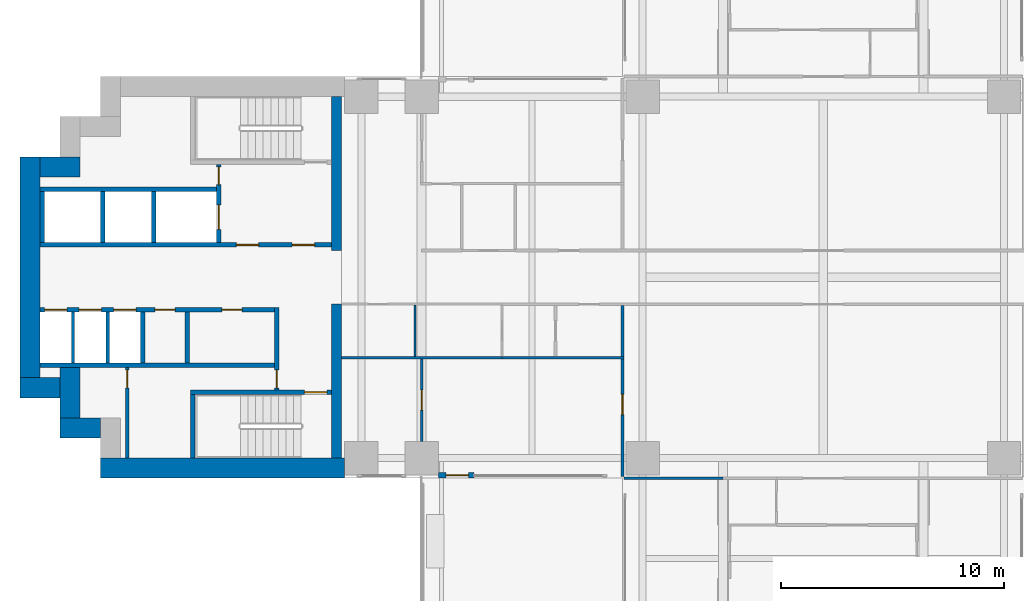
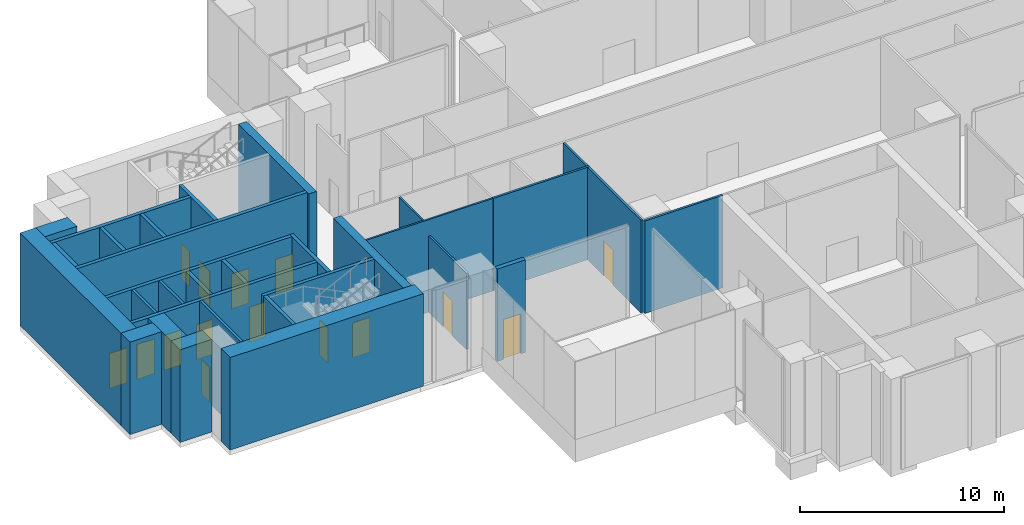
# One storey, part 8 of 17: 31 walls, 15 doors, 15 openings.
"""IFC4 building model written with IfcOpenShell, lengths in metres."""

import ifcopenshell
import ifcopenshell.guid

model = None  # the IFC model being written
_history = None  # IfcOwnerHistory: only IFC2X3 demands one
_inside = {}  # id of a spatial element -> (the spatial element, [elements in it])
_under = {}  # id of a project, library or spatial element -> (it, [spatial elements below it])
_declared = {}  # id of a project -> (the project, [libraries it declares])
_typed = {}  # id of a type object -> (the type object, [elements of that type])
_made_of = {}  # id of a material, layer set ... -> (it, [elements and type objects made of it])


def new_model(schema):
    """Start an empty IFC model of exactly this schema.

    Asked for "IFC4X3", IfcOpenShell would pick the latest addendum, in which some entities
    have other attributes; the version numbers below select the first issue.
    IFC2X3 requires an IfcOwnerHistory on every rooted entity: one is made here for all.
    """
    global model, _history
    if schema == "IFC4X3":
        model = ifcopenshell.file(schema_version=(4, 3, 0, 0))
    else:
        model = ifcopenshell.file(schema=schema)
    _inside.clear()
    _under.clear()
    _declared.clear()
    _typed.clear()
    _made_of.clear()
    _history = None
    if model.schema == "IFC2X3":
        org = make("IfcOrganization", Name="unknown")
        user = make(
            "IfcPersonAndOrganization",
            ThePerson=make("IfcPerson", FamilyName="unknown"),
            TheOrganization=org,
        )
        app = make(
            "IfcApplication",
            ApplicationDeveloper=org,
            Version="unknown",
            ApplicationFullName="unknown",
            ApplicationIdentifier="unknown",
        )
        _history = make(
            "IfcOwnerHistory",
            OwningUser=user,
            OwningApplication=app,
            ChangeAction="ADDED",
            CreationDate=0,
        )
    return model


def make(cls, **values):
    """One entity of the class cls with the attributes given. An attribute that is None is left unset."""
    return model.create_entity(
        cls, **{name: value for name, value in values.items() if value is not None}
    )


def rooted(cls, **values):
    """An entity with a GlobalId (a new one), such as an element, a storey or a relation."""
    return make(cls, GlobalId=ifcopenshell.guid.new(), OwnerHistory=_history, **values)


def si_unit(unit_type, name, prefix=None):
    """IfcSIUnit, for example si_unit("LENGTHUNIT", "METRE", prefix="MILLI")."""
    return make("IfcSIUnit", UnitType=unit_type, Prefix=prefix, Name=name)


def assignment(units):
    """IfcUnitAssignment: the units of a project."""
    return None if units is None else make("IfcUnitAssignment", Units=units)


def point(xyz):
    """IfcCartesianPoint."""
    return None if xyz is None else make("IfcCartesianPoint", Coordinates=xyz)


def direction(xyz):
    """IfcDirection."""
    return None if xyz is None else make("IfcDirection", DirectionRatios=xyz)


def frame(location, z_axis=None, x_axis=None):
    """IfcAxis2Placement3D, a coordinate frame: its origin and axes. An axis left out is left unset."""
    return make(
        "IfcAxis2Placement3D",
        Location=point(location),
        Axis=direction(z_axis),
        RefDirection=direction(x_axis),
    )


def frame_2d(location, x_axis=None):
    """IfcAxis2Placement2D, a coordinate frame in the plane: its origin and x axis."""
    return make(
        "IfcAxis2Placement2D", Location=point(location), RefDirection=direction(x_axis)
    )


def origin():
    """The frame at (0, 0, 0) with its axes left unset."""
    return frame((0.0, 0.0, 0.0))


def place(relative_to, where):
    """IfcLocalPlacement: puts the frame where relative to a parent placement (None: the world)."""
    return make(
        "IfcLocalPlacement", PlacementRelTo=relative_to, RelativePlacement=where
    )


def context(
    kind, dimensions, precision=None, world=None, true_north=None, identifier=None
):
    """IfcGeometricRepresentationContext, for example the 3D "Model" context."""
    return make(
        "IfcGeometricRepresentationContext",
        ContextIdentifier=identifier,
        ContextType=kind,
        CoordinateSpaceDimension=dimensions,
        Precision=precision,
        WorldCoordinateSystem=world,
        TrueNorth=true_north,
    )


def subcontext(parent, identifier, kind, view, scale=None):
    """IfcGeometricRepresentationSubContext, for example "Body" below "Model"."""
    return make(
        "IfcGeometricRepresentationSubContext",
        ContextIdentifier=identifier,
        ContextType=kind,
        ParentContext=parent,
        TargetScale=scale,
        TargetView=view,
    )


def project(units=None, contexts=None):
    """IfcProject with its units and contexts."""
    return rooted(
        "IfcProject",
        Name="project",
        RepresentationContexts=contexts,
        UnitsInContext=assignment(units),
    )


def spatial(cls, under=None, at=None, **own):
    """A site, building, storey or space (cls), placed at a placement, below another one or the project."""
    s = rooted(cls, ObjectPlacement=at, **own)
    if under is not None:
        _under.setdefault(under.id(), (under, []))[1].append(s)
    return s


def profile(cls, at=None, kind="AREA", **sizes):
    """A parametric profile (cls). Its sizes go by their IFC names, for example OverallWidth=200.0."""
    return make(cls, ProfileType=kind, Position=at, **sizes)


def rectangle(**sizes):
    """IfcRectangleProfileDef."""
    return profile("IfcRectangleProfileDef", **sizes)


def extrude(swept, where, along, depth):
    """IfcExtrudedAreaSolid: the profile swept, set in the frame where, extruded along a direction by depth."""
    return make(
        "IfcExtrudedAreaSolid",
        SweptArea=swept,
        Position=where,
        ExtrudedDirection=direction(along),
        Depth=depth,
    )


def shape(context_of_items, identifier, shape_type, items):
    """IfcShapeRepresentation: the items that make up one representation, for example the "Body"."""
    return make(
        "IfcShapeRepresentation",
        ContextOfItems=context_of_items,
        RepresentationIdentifier=identifier,
        RepresentationType=shape_type,
        Items=items,
    )


def material(Name=None, Category=None):
    """IfcMaterial."""
    return make("IfcMaterial", Name=Name, Category=Category)


def layer(
    of_material, thickness, ventilated=None, Name=None, Category=None, Priority=None
):
    """IfcMaterialLayer: one layer of a wall or slab, of a material (None: an air gap)."""
    return make(
        "IfcMaterialLayer",
        Material=of_material,
        LayerThickness=thickness,
        IsVentilated=ventilated,
        Name=Name,
        Category=Category,
        Priority=Priority,
    )


def layer_set(layers, Name=None):
    """IfcMaterialLayerSet."""
    return make("IfcMaterialLayerSet", MaterialLayers=layers, LayerSetName=Name)


def made_of(thing, what):
    """Note that an element or type object is made of a material, layer set ...; save() writes the relation."""
    if what is not None:
        _made_of.setdefault(what.id(), (what, []))[1].append(thing)
    return thing


def type_object(cls, material=None, **own):
    """A type object (cls), such as IfcWallType, which elements share."""
    return made_of(rooted(cls, **own), material)


def element(
    cls,
    number,
    at=None,
    inside=None,
    cuts=None,
    type_object=None,
    material=None,
    context=None,
    identifier="Body",
    shape_type=None,
    held_by="IfcProductDefinitionShape",
    body=None,
    shapes=None,
    **own,
):
    """One element of the class cls, such as IfcWall. Its Tag is "e" and its number.

    at: its placement. inside: the storey or other place that contains it. cuts: it is an
    opening in that element (IfcRelVoidsElement). A single representation is given by context,
    identifier, shape_type and body (its items); several are given by shapes. held_by: the class
    of the entity that holds the representations. save() writes the other relations.
    """
    e = rooted(cls, Tag="e%d" % number, ObjectPlacement=at, **own)
    if body is not None:
        shapes = [shape(context, identifier, shape_type, body)]
    if shapes is not None:
        e.Representation = make(held_by, Representations=shapes)
    if inside is not None:
        _inside.setdefault(inside.id(), (inside, []))[1].append(e)
    if cuts is not None:
        rooted(
            "IfcRelVoidsElement", RelatingBuildingElement=cuts, RelatedOpeningElement=e
        )
    if type_object is not None:
        _typed.setdefault(type_object.id(), (type_object, []))[1].append(e)
    return made_of(e, material)


def fill(opening, filler):
    """IfcRelFillsElement: the door or window that sits in an opening."""
    return rooted(
        "IfcRelFillsElement",
        RelatingOpeningElement=opening,
        RelatedBuildingElement=filler,
    )


def aggregate(whole, parts):
    """IfcRelAggregates: a whole, such as a stair, and the parts it consists of."""
    return rooted("IfcRelAggregates", RelatingObject=whole, RelatedObjects=parts)


def save(model, path):
    """Write the relations noted so far, then the file.

    IfcRelAggregates (storeys below a building ...), IfcRelContainedInSpatialStructure (elements
    in a storey), IfcRelDefinesByType, IfcRelAssociatesMaterial and IfcRelDeclares: one each for
    every whole, place, type object, material and project.
    """
    for whole, parts in _under.values():
        aggregate(whole, parts)
    for where, things in _inside.values():
        rooted(
            "IfcRelContainedInSpatialStructure",
            RelatedElements=things,
            RelatingStructure=where,
        )
    for kind, things in _typed.values():
        rooted("IfcRelDefinesByType", RelatedObjects=things, RelatingType=kind)
    for what, things in _made_of.values():
        rooted("IfcRelAssociatesMaterial", RelatedObjects=things, RelatingMaterial=what)
    for by, libraries in _declared.values():
        rooted("IfcRelDeclares", RelatingContext=by, RelatedDefinitions=libraries)
    model.write(path)


model = new_model("IFC4")

# Units and contexts
model_context = context("Model", 3, precision=1e-05, world=origin(), true_north=direction((0.0, 1.0)))
body_context = subcontext(model_context, "Body", "Model", "MODEL_VIEW")
ifc_project = project(units=[si_unit("LENGTHUNIT", "METRE"), si_unit("AREAUNIT", "SQUARE_METRE"), si_unit("VOLUMEUNIT", "CUBIC_METRE"), si_unit("PLANEANGLEUNIT", "RADIAN"), si_unit("MASSUNIT", "GRAM", prefix="KILO")], contexts=[model_context])

# Site, building, storey
site_placement = place(None, origin())
site = spatial("IfcSite", under=ifc_project, at=site_placement, CompositionType="ELEMENT")
building_placement = place(site_placement, origin())
building = spatial("IfcBuilding", under=site, at=building_placement, Name="Perihelion Cross Residences", CompositionType="ELEMENT")
storey_placement = place(building_placement, frame((0.0, 0.0, 21.0)))
storey = spatial("IfcBuildingStorey", under=building, at=storey_placement, Name="L02", CompositionType="ELEMENT", Elevation=21.0)

# Wall, opening, door
ifc_material_1 = material(Name="Concrete C30/37, bronze-clad", Category="concrete")
ifc_layer_1 = layer(ifc_material_1, 0.25)
ifc_layer_set_1 = layer_set([ifc_layer_1], Name="Bronze-clad pier wall 250")
wall_type_1 = type_object("IfcWallType", Name="Bronze-clad pier wall 250", PredefinedType="SOLIDWALL", material=ifc_layer_set_1)
wall_1_placement = place(storey_placement, frame((-17.25, -8.875, 0.0), z_axis=(0.0, 0.0, 1.0), x_axis=(1.0, 0.0, 0.0)))
wall_1 = element("IfcWall", 1, at=wall_1_placement, inside=storey, type_object=wall_type_1, Name="Wall FW1 L02 west side south bay 2 pier", PredefinedType="SOLIDWALL", context=body_context, shape_type="SweptSolid", body=[
    extrude(rectangle(XDim=1.60009765625, YDim=0.25, at=frame_2d((0.800048828125, 0.0))), origin(), (0.0, 0.0, 1.0), 5.550048828125),
])
opening_1_placement = place(wall_1_placement, frame((0.35009765625, 0.0, 0.0)))
opening_1 = element("IfcOpeningElement", 2, at=opening_1_placement, cuts=wall_1, Name="Opening L02.E05", PredefinedType="OPENING", context=body_context, shape_type="SweptSolid", body=[
    extrude(rectangle(XDim=1.0, YDim=2.39990234375, at=frame_2d((0.5, 1.199951171875))), frame((0.0, 0.135009765625, 0.0), z_axis=(0.0, -1.0, 0.0), x_axis=(1.0, 0.0, 0.0)), (0.0, 0.0, 1.0), 0.27001953125),
])
ifc_material_2 = material(Name="Bronze anodised aluminium, glazed", Category="aluminium")
door_type_1 = type_object("IfcDoorType", Name="Balcony door 1000 x 2400", OperationType="NOTDEFINED", PredefinedType="DOOR", material=ifc_material_2)
door_1_placement = place(opening_1_placement, origin())
door_1 = element("IfcDoor", 3, at=door_1_placement, inside=storey, type_object=door_type_1, Name="Door L02.E05 west side south bay 2", OperationType="SINGLE_SWING_RIGHT", OverallHeight=2.39990234375, OverallWidth=1.0, PredefinedType="DOOR", context=body_context, shape_type="SweptSolid", body=[
    extrude(rectangle(XDim=1.0, YDim=2.39990234375, at=frame_2d((0.5, 1.199951171875))), frame((0.0, 0.02490234375, 0.0), z_axis=(0.0, -1.0, 0.0), x_axis=(1.0, 0.0, 0.0)), (0.0, 0.0, 1.0), 0.050048828125),
])
fill(opening_1, door_1)

# Walls
ifc_material_3 = material(Name="Concrete C60/75", Category="concrete")
ifc_layer_2 = layer(ifc_material_3, 0.449951171875)
ifc_layer_set_2 = layer_set([ifc_layer_2], Name="Core wall, inner 450")
wall_type_2 = type_object("IfcWallType", Name="Core wall, inner 450", PredefinedType="SHEAR", material=ifc_layer_set_2)
for number, where, z_axis, x_axis, name in (
    (4, (-21.824951171875, -8.10009765625, 0.0), (0.0, 0.0, 1.0), (0.0, 1.0, 0.0), "West core core wall, inner"),
    (5, (-21.824951171875, 1.199951171875, 0.0), (0.0, 0.0, 1.0), (0.0, 1.0, 0.0), "West core core wall, inner"),
):
    element("IfcWall", number, at=place(storey_placement, frame(where, z_axis=z_axis, x_axis=x_axis)), inside=storey, type_object=wall_type_2, Name=name, PredefinedType="SHEAR", context=body_context, shape_type="SweptSolid", body=[
        extrude(rectangle(XDim=6.900146484375, YDim=0.449951171875, at=frame_2d((3.4501953125, 0.0))), origin(), (0.0, 0.0, 1.0), 5.550048828125),
    ])
ifc_material_4 = material(Name="Concrete C60/75", Category="concrete")
ifc_layer_3 = layer(ifc_material_4, 0.89990234375)
ifc_layer_set_3 = layer_set([ifc_layer_3], Name="Core wall, outer 900")
wall_type_3 = type_object("IfcWallType", Name="Core wall, outer 900", PredefinedType="SHEAR", material=ifc_layer_set_3)
wall_2_placement = place(storey_placement, frame((-32.39990234375, -8.550048828125, 0.0), z_axis=(0.0, 0.0, 1.0), x_axis=(1.0, 0.0, 0.0)))
element("IfcWall", 6, at=wall_2_placement, inside=storey, type_object=wall_type_3, Name="West core core wall, outer", PredefinedType="SHEAR", context=body_context, shape_type="SweptSolid", body=[
    extrude(rectangle(XDim=10.949951171875, YDim=0.89990234375, at=frame_2d((5.47509765625, 0.0))), origin(), (0.0, 0.0, 1.0), 5.550048828125),
])
wall_3_placement = place(storey_placement, frame((-34.199951171875, -6.75, 0.0), z_axis=(0.0, 0.0, 1.0), x_axis=(1.0, 0.0, 0.0)))
element("IfcWall", 7, at=wall_3_placement, inside=storey, type_object=wall_type_3, Name="West core core wall, outer", PredefinedType="SHEAR", context=body_context, shape_type="SweptSolid", body=[
    extrude(rectangle(XDim=1.800048828125, YDim=0.89990234375, at=frame_2d((0.89990234375, 0.0))), origin(), (0.0, 0.0, 1.0), 5.550048828125),
])
wall_4_placement = place(storey_placement, frame((-33.75, -6.300048828125, 0.0), z_axis=(0.0, 0.0, 1.0), x_axis=(0.0, 1.0, 0.0)))
element("IfcWall", 8, at=wall_4_placement, inside=storey, type_object=wall_type_3, Name="West core core wall, outer", PredefinedType="SHEAR", context=body_context, shape_type="SweptSolid", body=[
    extrude(rectangle(XDim=2.25, YDim=0.89990234375, at=frame_2d((1.125, 0.0))), origin(), (0.0, 0.0, 1.0), 5.550048828125),
])
wall_5_placement = place(storey_placement, frame((-36.0, -4.949951171875, 0.0), z_axis=(0.0, 0.0, 1.0), x_axis=(1.0, 0.0, 0.0)))
element("IfcWall", 9, at=wall_5_placement, inside=storey, type_object=wall_type_3, Name="West core core wall, outer", PredefinedType="SHEAR", context=body_context, shape_type="SweptSolid", body=[
    extrude(rectangle(XDim=1.800048828125, YDim=0.89990234375, at=frame_2d((0.89990234375, 0.0))), origin(), (0.0, 0.0, 1.0), 5.550048828125),
])
wall_6_placement = place(storey_placement, frame((-35.550048828125, -4.5, 0.0), z_axis=(0.0, 0.0, 1.0), x_axis=(0.0, 1.0, 0.0)))
element("IfcWall", 10, at=wall_6_placement, inside=storey, type_object=wall_type_3, Name="West core core wall, outer", PredefinedType="SHEAR", context=body_context, shape_type="SweptSolid", body=[
    extrude(rectangle(XDim=9.89990234375, YDim=0.89990234375, at=frame_2d((4.949951171875, 0.0))), origin(), (0.0, 0.0, 1.0), 5.550048828125),
])
wall_7_placement = place(storey_placement, frame((-35.10009765625, 4.949951171875, 0.0), z_axis=(0.0, 0.0, 1.0), x_axis=(1.0, 0.0, 0.0)))
element("IfcWall", 11, at=wall_7_placement, inside=storey, type_object=wall_type_3, Name="West core core wall, outer", PredefinedType="SHEAR", context=body_context, shape_type="SweptSolid", body=[
    extrude(rectangle(XDim=1.800048828125, YDim=0.89990234375, at=frame_2d((0.89990234375, 0.0))), origin(), (0.0, 0.0, 1.0), 5.550048828125),
])

# Wall, opening, door
ifc_material_5 = material(Name="Concrete C50/60", Category="concrete")
ifc_layer_4 = layer(ifc_material_5, 0.199951171875)
ifc_layer_set_4 = layer_set([ifc_layer_4], Name="Lobby wall 200")
wall_type_4 = type_object("IfcWallType", Name="Lobby wall 200", PredefinedType="SOLIDWALL", material=ifc_layer_set_4)
wall_8_placement = place(storey_placement, frame((-24.5, -5.050048828125, 0.0), z_axis=(0.0, 0.0, 1.0), x_axis=(0.0, 1.0, 0.0)))
wall_8 = element("IfcWall", 12, at=wall_8_placement, inside=storey, type_object=wall_type_4, Name="West core lobby wall", PredefinedType="SOLIDWALL", context=body_context, shape_type="SweptSolid", body=[
    extrude(rectangle(XDim=3.699951171875, YDim=0.199951171875, at=frame_2d((1.85009765625, 0.0))), origin(), (0.0, 0.0, 1.0), 5.550048828125),
])
opening_2_placement = place(wall_8_placement, frame((0.10009765625, 0.0, 0.0)))
opening_2 = element("IfcOpeningElement", 13, at=opening_2_placement, cuts=wall_8, Name="Opening L02.C21", PredefinedType="OPENING", context=body_context, shape_type="SweptSolid", body=[
    extrude(rectangle(XDim=0.800048828125, YDim=2.10009765625, at=frame_2d((0.39990234375, 1.050048828125))), frame((0.0, 0.10986328125, 0.0), z_axis=(0.0, -1.0, 0.0), x_axis=(1.0, 0.0, 0.0)), (0.0, 0.0, 1.0), 0.219970703125),
])
ifc_material_6 = material(Name="Steel, powder coated", Category="steel")
door_type_2 = type_object("IfcDoorType", Name="Riser door 800", OperationType="SINGLE_SWING_LEFT", PredefinedType="DOOR", material=ifc_material_6)
door_2_placement = place(opening_2_placement, origin())
door_2 = element("IfcDoor", 14, at=door_2_placement, inside=storey, type_object=door_type_2, Name="West core riser door", OperationType="SINGLE_SWING_LEFT", OverallHeight=2.10009765625, OverallWidth=0.800048828125, PredefinedType="DOOR", context=body_context, shape_type="SweptSolid", body=[
    extrude(rectangle(XDim=0.800048828125, YDim=2.10009765625, at=frame_2d((0.39990234375, 1.050048828125))), frame((0.0, 0.02490234375, 0.0), z_axis=(0.0, -1.0, 0.0), x_axis=(1.0, 0.0, 0.0)), (0.0, 0.0, 1.0), 0.050048828125),
])
fill(opening_2, door_2)

ifc_material_7 = material(Name="Plasterboard partition")
ifc_layer_5 = layer(ifc_material_7, 0.1201171875)
ifc_layer_set_5 = layer_set([ifc_layer_5], Name="Partition wall 120")
wall_type_5 = type_object("IfcWallType", Name="Partition wall 120", PredefinedType="PARTITIONING", material=ifc_layer_set_5)
wall_9_placement = place(storey_placement, frame((-9.0, -8.919921875, 0.0), z_axis=(0.0, 0.0, 1.0), x_axis=(0.0, 1.0, 0.0)))
wall_9 = element("IfcWall", 15, at=wall_9_placement, inside=storey, type_object=wall_type_5, Name="Partition L02 W013", PredefinedType="PARTITIONING", context=body_context, shape_type="SweptSolid", body=[
    extrude(rectangle(XDim=7.659912109375, YDim=0.1201171875, at=frame_2d((3.830078125, 0.0))), origin(), (0.0, 0.0, 1.0), 5.550048828125),
])
opening_3_placement = place(wall_9_placement, frame((2.77001953125, 0.0, 0.0)))
opening_3 = element("IfcOpeningElement", 16, at=opening_3_placement, cuts=wall_9, Name="Opening L02.A22", PredefinedType="OPENING", context=body_context, shape_type="SweptSolid", body=[
    extrude(rectangle(XDim=0.89990234375, YDim=2.10009765625, at=frame_2d((0.449951171875, 1.050048828125))), frame((0.0, 0.070068359375, 0.0), z_axis=(0.0, -1.0, 0.0), x_axis=(1.0, 0.0, 0.0)), (0.0, 0.0, 1.0), 0.14013671875),
])
ifc_material_8 = material(Name="Timber door leaf", Category="wood")
door_type_3 = type_object("IfcDoorType", Name="Interior room door 900 x 2100", OperationType="SINGLE_SWING_LEFT", PredefinedType="DOOR", material=ifc_material_8)
door_3_placement = place(opening_3_placement, origin())
door_3 = element("IfcDoor", 17, at=door_3_placement, inside=storey, type_object=door_type_3, Name="Door L02.A22", OperationType="SINGLE_SWING_LEFT", OverallHeight=2.10009765625, OverallWidth=0.89990234375, PredefinedType="DOOR", context=body_context, shape_type="SweptSolid", body=[
    extrude(rectangle(XDim=0.89990234375, YDim=2.10009765625, at=frame_2d((0.449951171875, 1.050048828125))), frame((0.0, 0.02490234375, 0.0), z_axis=(0.0, -1.0, 0.0), x_axis=(1.0, 0.0, 0.0)), (0.0, 0.0, 1.0), 0.050048828125),
])
fill(opening_3, door_3)

# Wall
wall_10_placement = place(storey_placement, frame((-4.5, -9.0, 0.0), z_axis=(0.0, 0.0, 1.0), x_axis=(-1.0, 0.0, 0.0)))
element("IfcWall", 18, at=wall_10_placement, inside=storey, type_object=wall_type_5, Name="Partition L02 W016", PredefinedType="PARTITIONING", context=body_context, shape_type="SweptSolid", body=[
    extrude(rectangle(XDim=4.419921875, YDim=0.1201171875, at=frame_2d((2.2099609375, 0.0))), origin(), (0.0, 0.0, 1.0), 5.550048828125),
])

# Wall, opening, door
wall_11_placement = place(storey_placement, frame((-18.0, -7.35009765625, 0.0), z_axis=(0.0, 0.0, 1.0), x_axis=(0.0, 1.0, 0.0)))
wall_11 = element("IfcWall", 19, at=wall_11_placement, inside=storey, type_object=wall_type_5, Name="Partition L02 W031", PredefinedType="PARTITIONING", context=body_context, shape_type="SweptSolid", body=[
    extrude(rectangle(XDim=3.7001953125, YDim=0.1201171875, at=frame_2d((1.85009765625, 0.0))), origin(), (0.0, 0.0, 1.0), 4.570068359375),
])
opening_4_placement = place(wall_11_placement, frame((1.39990234375, 0.0, 0.0)))
opening_4 = element("IfcOpeningElement", 20, at=opening_4_placement, cuts=wall_11, Name="Opening L02.A14", PredefinedType="OPENING", context=body_context, shape_type="SweptSolid", body=[
    extrude(rectangle(XDim=0.89990234375, YDim=2.10009765625, at=frame_2d((0.449951171875, 1.050048828125))), frame((0.0, 0.070068359375, 0.0), z_axis=(0.0, -1.0, 0.0), x_axis=(1.0, 0.0, 0.0)), (0.0, 0.0, 1.0), 0.14013671875),
])
door_4_placement = place(opening_4_placement, origin())
door_4 = element("IfcDoor", 21, at=door_4_placement, inside=storey, type_object=door_type_3, Name="Door L02.A14", OperationType="SINGLE_SWING_RIGHT", OverallHeight=2.10009765625, OverallWidth=0.89990234375, PredefinedType="DOOR", context=body_context, shape_type="SweptSolid", body=[
    extrude(rectangle(XDim=0.89990234375, YDim=2.10009765625, at=frame_2d((0.449951171875, 1.050048828125))), frame((0.0, 0.02490234375, 0.0), z_axis=(0.0, -1.0, 0.0), x_axis=(1.0, 0.0, 0.0)), (0.0, 0.0, 1.0), 0.050048828125),
])
fill(opening_4, door_4)

# Wall
wall_12_placement = place(storey_placement, frame((-14.39990234375, -3.60009765625, 0.0), z_axis=(0.0, 0.0, 1.0), x_axis=(1.0, 0.0, 0.0)))
element("IfcWall", 22, at=wall_12_placement, inside=storey, type_object=wall_type_5, Name="Partition L02 W032", PredefinedType="PARTITIONING", context=body_context, shape_type="SweptSolid", body=[
    extrude(rectangle(XDim=5.4599609375, YDim=0.1201171875, at=frame_2d((2.72998046875, 0.0))), origin(), (0.0, 0.0, 1.0), 5.550048828125),
])

# Wall, opening, door
ifc_material_9 = material(Name="Fire-rated board on steel stud", Category="steel")
ifc_layer_6 = layer(ifc_material_9, 0.14990234375)
ifc_layer_set_6 = layer_set([ifc_layer_6], Name="Riser wall 150")
wall_type_6 = type_object("IfcWallType", Name="Riser wall 150", PredefinedType="PARTITIONING", material=ifc_layer_set_6)
wall_13_placement = place(storey_placement, frame((-31.199951171875, -8.10009765625, 0.0), z_axis=(0.0, 0.0, 1.0), x_axis=(0.0, 1.0, 0.0)))
wall_13 = element("IfcWall", 23, at=wall_13_placement, inside=storey, type_object=wall_type_6, Name="West core riser wall", PredefinedType="PARTITIONING", context=body_context, shape_type="SweptSolid", body=[
    extrude(rectangle(XDim=4.050048828125, YDim=0.14990234375, at=frame_2d((2.02490234375, 0.0))), origin(), (0.0, 0.0, 1.0), 5.550048828125),
])
opening_5_placement = place(wall_13_placement, frame((3.14990234375, 0.0, 0.0)))
opening_5 = element("IfcOpeningElement", 24, at=opening_5_placement, cuts=wall_13, Name="Opening L02.C26", PredefinedType="OPENING", context=body_context, shape_type="SweptSolid", body=[
    extrude(rectangle(XDim=0.800048828125, YDim=2.10009765625, at=frame_2d((0.39990234375, 1.050048828125))), frame((0.0, 0.0849609375, 0.0), z_axis=(0.0, -1.0, 0.0), x_axis=(1.0, 0.0, 0.0)), (0.0, 0.0, 1.0), 0.169921875),
])
door_5_placement = place(opening_5_placement, origin())
door_5 = element("IfcDoor", 25, at=door_5_placement, inside=storey, type_object=door_type_2, Name="West core riser door", OperationType="SINGLE_SWING_LEFT", OverallHeight=2.10009765625, OverallWidth=0.800048828125, PredefinedType="DOOR", context=body_context, shape_type="SweptSolid", body=[
    extrude(rectangle(XDim=0.800048828125, YDim=2.10009765625, at=frame_2d((0.39990234375, 1.050048828125))), frame((0.0, 0.02490234375, 0.0), z_axis=(0.0, -1.0, 0.0), x_axis=(1.0, 0.0, 0.0)), (0.0, 0.0, 1.0), 0.050048828125),
])
fill(opening_5, door_5)

# Walls
ifc_material_10 = material(Name="Fire-rated board on steel stud", Category="steel")
ifc_layer_7 = layer(ifc_material_10, 0.199951171875)
ifc_layer_set_7 = layer_set([ifc_layer_7], Name="Riser wall 200")
wall_type_7 = type_object("IfcWallType", Name="Riser wall 200", PredefinedType="PARTITIONING", material=ifc_layer_set_7)
wall_14_placement = place(storey_placement, frame((-28.5, -3.85009765625, 0.0), z_axis=(0.0, 0.0, 1.0), x_axis=(0.0, 1.0, 0.0)))
element("IfcWall", 26, at=wall_14_placement, inside=storey, type_object=wall_type_7, Name="West core riser wall", PredefinedType="PARTITIONING", context=body_context, shape_type="SweptSolid", body=[
    extrude(rectangle(XDim=2.300048828125, YDim=0.199951171875, at=frame_2d((1.14990234375, 0.0))), origin(), (0.0, 0.0, 1.0), 5.550048828125),
])
ifc_material_11 = material(Name="Concrete C50/60", Category="concrete")
ifc_layer_8 = layer(ifc_material_11, 0.14990234375)
ifc_layer_set_8 = layer_set([ifc_layer_8], Name="Shaft wall 150")
wall_type_8 = type_object("IfcWallType", Name="Shaft wall 150", PredefinedType="SOLIDWALL", material=ifc_layer_set_8)
for number, where, z_axis, x_axis, name in (
    (27, (-32.074951171875, -3.85009765625, 0.0), (0.0, 0.0, 1.0), (0.0, 1.0, 0.0), "West core shaft wall"),
    (28, (-33.625, -3.85009765625, 0.0), (0.0, 0.0, 1.0), (0.0, 1.0, 0.0), "West core shaft wall"),
):
    element("IfcWall", number, at=place(storey_placement, frame(where, z_axis=z_axis, x_axis=x_axis)), inside=storey, type_object=wall_type_8, Name=name, PredefinedType="SOLIDWALL", context=body_context, shape_type="SweptSolid", body=[
        extrude(rectangle(XDim=2.300048828125, YDim=0.14990234375, at=frame_2d((1.14990234375, 0.0))), origin(), (0.0, 0.0, 1.0), 5.550048828125),
    ])

# Wall, openings, doors
ifc_material_12 = material(Name="Concrete C50/60", Category="concrete")
ifc_layer_9 = layer(ifc_material_12, 0.199951171875)
ifc_layer_set_9 = layer_set([ifc_layer_9], Name="Shaft wall 200")
wall_type_9 = type_object("IfcWallType", Name="Shaft wall 200", PredefinedType="SOLIDWALL", material=ifc_layer_set_9)
wall_15_placement = place(storey_placement, frame((-35.10009765625, 1.449951171875, 0.0), z_axis=(0.0, 0.0, 1.0), x_axis=(1.0, 0.0, 0.0)))
wall_15 = element("IfcWall", 29, at=wall_15_placement, inside=storey, type_object=wall_type_9, Name="West core shaft wall", PredefinedType="SOLIDWALL", context=body_context, shape_type="SweptSolid", body=[
    extrude(rectangle(XDim=13.050048828125, YDim=0.199951171875, at=frame_2d((6.52490234375, 0.0))), origin(), (0.0, 0.0, 1.0), 5.550048828125),
])
opening_6_placement = place(wall_15_placement, frame((11.300048828125, 0.0, 0.0)))
opening_6 = element("IfcOpeningElement", 30, at=opening_6_placement, cuts=wall_15, Name="Opening L02.C20", PredefinedType="OPENING", context=body_context, shape_type="SweptSolid", body=[
    extrude(rectangle(XDim=1.0, YDim=2.10009765625, at=frame_2d((0.5, 1.050048828125))), frame((0.0, 0.10986328125, 0.0), z_axis=(0.0, -1.0, 0.0), x_axis=(1.0, 0.0, 0.0)), (0.0, 0.0, 1.0), 0.219970703125),
])
opening_7_placement = place(wall_15_placement, frame((8.800048828125, 0.0, 0.0)))
opening_7 = element("IfcOpeningElement", 31, at=opening_7_placement, cuts=wall_15, Name="Opening L02.C22", PredefinedType="OPENING", context=body_context, shape_type="SweptSolid", body=[
    extrude(rectangle(XDim=1.0, YDim=2.10009765625, at=frame_2d((0.5, 1.050048828125))), frame((0.0, 0.10986328125, 0.0), z_axis=(0.0, -1.0, 0.0), x_axis=(1.0, 0.0, 0.0)), (0.0, 0.0, 1.0), 0.219970703125),
])
ifc_material_13 = material(Name="Steel, powder coated", Category="steel")
door_type_4 = type_object("IfcDoorType", Name="Lobby door 1000", OperationType="SINGLE_SWING_LEFT", PredefinedType="DOOR", material=ifc_material_13)
door_6_placement = place(opening_6_placement, origin())
door_6 = element("IfcDoor", 32, at=door_6_placement, inside=storey, type_object=door_type_4, Name="West core firefighting lobby door", OperationType="SINGLE_SWING_LEFT", OverallHeight=2.10009765625, OverallWidth=1.0, PredefinedType="DOOR", context=body_context, shape_type="SweptSolid", body=[
    extrude(rectangle(XDim=1.0, YDim=2.10009765625, at=frame_2d((0.5, 1.050048828125))), frame((0.0, 0.02490234375, 0.0), z_axis=(0.0, -1.0, 0.0), x_axis=(1.0, 0.0, 0.0)), (0.0, 0.0, 1.0), 0.050048828125),
])
fill(opening_6, door_6)
door_7_placement = place(opening_7_placement, origin())
door_7 = element("IfcDoor", 33, at=door_7_placement, inside=storey, type_object=door_type_4, Name="West core firefighting lobby door", OperationType="SINGLE_SWING_LEFT", OverallHeight=2.10009765625, OverallWidth=1.0, PredefinedType="DOOR", context=body_context, shape_type="SweptSolid", body=[
    extrude(rectangle(XDim=1.0, YDim=2.10009765625, at=frame_2d((0.5, 1.050048828125))), frame((0.0, 0.02490234375, 0.0), z_axis=(0.0, -1.0, 0.0), x_axis=(1.0, 0.0, 0.0)), (0.0, 0.0, 1.0), 0.050048828125),
])
fill(opening_7, door_7)

wall_16_placement = place(storey_placement, frame((-35.10009765625, -1.449951171875, 0.0), z_axis=(0.0, 0.0, 1.0), x_axis=(1.0, 0.0, 0.0)))
wall_16 = element("IfcWall", 34, at=wall_16_placement, inside=storey, type_object=wall_type_9, Name="West core shaft wall", PredefinedType="SOLIDWALL", context=body_context, shape_type="SweptSolid", body=[
    extrude(rectangle(XDim=10.5, YDim=0.199951171875, at=frame_2d((5.25, 0.0))), origin(), (0.0, 0.0, 1.0), 5.550048828125),
])
opening_8_placement = place(wall_16_placement, frame((3.300048828125, 0.0, 0.0)))
opening_8 = element("IfcOpeningElement", 35, at=opening_8_placement, cuts=wall_16, Name="Opening L02.C15", PredefinedType="OPENING", context=body_context, shape_type="SweptSolid", body=[
    extrude(rectangle(XDim=1.0, YDim=2.10009765625, at=frame_2d((0.5, 1.050048828125))), frame((0.0, 0.10986328125, 0.0), z_axis=(0.0, -1.0, 0.0), x_axis=(1.0, 0.0, 0.0)), (0.0, 0.0, 1.0), 0.219970703125),
])
opening_9_placement = place(wall_16_placement, frame((1.75, 0.0, 0.0)))
opening_9 = element("IfcOpeningElement", 36, at=opening_9_placement, cuts=wall_16, Name="Opening L02.C16", PredefinedType="OPENING", context=body_context, shape_type="SweptSolid", body=[
    extrude(rectangle(XDim=1.0, YDim=2.10009765625, at=frame_2d((0.5, 1.050048828125))), frame((0.0, 0.10986328125, 0.0), z_axis=(0.0, -1.0, 0.0), x_axis=(1.0, 0.0, 0.0)), (0.0, 0.0, 1.0), 0.219970703125),
])
opening_10_placement = place(wall_16_placement, frame((0.199951171875, 0.0, 0.0)))
opening_10 = element("IfcOpeningElement", 37, at=opening_10_placement, cuts=wall_16, Name="Opening L02.C17", PredefinedType="OPENING", context=body_context, shape_type="SweptSolid", body=[
    extrude(rectangle(XDim=1.0, YDim=2.10009765625, at=frame_2d((0.5, 1.050048828125))), frame((0.0, 0.10986328125, 0.0), z_axis=(0.0, -1.0, 0.0), x_axis=(1.0, 0.0, 0.0)), (0.0, 0.0, 1.0), 0.219970703125),
])
opening_11_placement = place(wall_16_placement, frame((8.14990234375, 0.0, 0.0)))
opening_11 = element("IfcOpeningElement", 38, at=opening_11_placement, cuts=wall_16, Name="Opening L02.C23", PredefinedType="OPENING", context=body_context, shape_type="SweptSolid", body=[
    extrude(rectangle(XDim=0.89990234375, YDim=2.10009765625, at=frame_2d((0.449951171875, 1.050048828125))), frame((0.0, 0.10986328125, 0.0), z_axis=(0.0, -1.0, 0.0), x_axis=(1.0, 0.0, 0.0)), (0.0, 0.0, 1.0), 0.219970703125),
])
opening_12_placement = place(wall_16_placement, frame((5.14990234375, 0.0, 0.0)))
opening_12 = element("IfcOpeningElement", 39, at=opening_12_placement, cuts=wall_16, Name="Opening L02.C25", PredefinedType="OPENING", context=body_context, shape_type="SweptSolid", body=[
    extrude(rectangle(XDim=0.89990234375, YDim=2.10009765625, at=frame_2d((0.449951171875, 1.050048828125))), frame((0.0, 0.10986328125, 0.0), z_axis=(0.0, -1.0, 0.0), x_axis=(1.0, 0.0, 0.0)), (0.0, 0.0, 1.0), 0.219970703125),
])
ifc_material_14 = material(Name="Stainless steel", Category="steel")
door_type_5 = type_object("IfcDoorType", Name="Landing door 1000", OperationType="DOUBLE_DOOR_SLIDING", PredefinedType="DOOR", material=ifc_material_14)
door_8_placement = place(opening_8_placement, origin())
door_8 = element("IfcDoor", 40, at=door_8_placement, inside=storey, type_object=door_type_5, Name="Landing door, West core low-rise lift 1", OperationType="DOUBLE_DOOR_SLIDING", OverallHeight=2.10009765625, OverallWidth=1.0, PredefinedType="DOOR", context=body_context, shape_type="SweptSolid", body=[
    extrude(rectangle(XDim=1.0, YDim=2.10009765625, at=frame_2d((0.5, 1.050048828125))), frame((0.0, 0.02490234375, 0.0), z_axis=(0.0, -1.0, 0.0), x_axis=(1.0, 0.0, 0.0)), (0.0, 0.0, 1.0), 0.050048828125),
])
fill(opening_8, door_8)
door_9_placement = place(opening_9_placement, origin())
door_9 = element("IfcDoor", 41, at=door_9_placement, inside=storey, type_object=door_type_5, Name="Landing door, West core low-rise lift 2", OperationType="DOUBLE_DOOR_SLIDING", OverallHeight=2.10009765625, OverallWidth=1.0, PredefinedType="DOOR", context=body_context, shape_type="SweptSolid", body=[
    extrude(rectangle(XDim=1.0, YDim=2.10009765625, at=frame_2d((0.5, 1.050048828125))), frame((0.0, 0.02490234375, 0.0), z_axis=(0.0, -1.0, 0.0), x_axis=(1.0, 0.0, 0.0)), (0.0, 0.0, 1.0), 0.050048828125),
])
fill(opening_9, door_9)
door_10_placement = place(opening_10_placement, origin())
door_10 = element("IfcDoor", 42, at=door_10_placement, inside=storey, type_object=door_type_5, Name="Landing door, West core low-rise lift 3", OperationType="DOUBLE_DOOR_SLIDING", OverallHeight=2.10009765625, OverallWidth=1.0, PredefinedType="DOOR", context=body_context, shape_type="SweptSolid", body=[
    extrude(rectangle(XDim=1.0, YDim=2.10009765625, at=frame_2d((0.5, 1.050048828125))), frame((0.0, 0.02490234375, 0.0), z_axis=(0.0, -1.0, 0.0), x_axis=(1.0, 0.0, 0.0)), (0.0, 0.0, 1.0), 0.050048828125),
])
fill(opening_10, door_10)
ifc_material_15 = material(Name="Steel, powder coated", Category="steel")
door_type_6 = type_object("IfcDoorType", Name="Service room door 900", OperationType="SINGLE_SWING_LEFT", PredefinedType="DOOR", material=ifc_material_15)
door_11_placement = place(opening_11_placement, origin())
door_11 = element("IfcDoor", 43, at=door_11_placement, inside=storey, type_object=door_type_6, Name="West core service room door", OperationType="SINGLE_SWING_LEFT", OverallHeight=2.10009765625, OverallWidth=0.89990234375, PredefinedType="DOOR", context=body_context, shape_type="SweptSolid", body=[
    extrude(rectangle(XDim=0.89990234375, YDim=2.10009765625, at=frame_2d((0.449951171875, 1.050048828125))), frame((0.0, 0.02490234375, 0.0), z_axis=(0.0, -1.0, 0.0), x_axis=(1.0, 0.0, 0.0)), (0.0, 0.0, 1.0), 0.050048828125),
])
fill(opening_11, door_11)
door_12_placement = place(opening_12_placement, origin())
door_12 = element("IfcDoor", 44, at=door_12_placement, inside=storey, type_object=door_type_6, Name="West core service room door", OperationType="SINGLE_SWING_LEFT", OverallHeight=2.10009765625, OverallWidth=0.89990234375, PredefinedType="DOOR", context=body_context, shape_type="SweptSolid", body=[
    extrude(rectangle(XDim=0.89990234375, YDim=2.10009765625, at=frame_2d((0.449951171875, 1.050048828125))), frame((0.0, 0.02490234375, 0.0), z_axis=(0.0, -1.0, 0.0), x_axis=(1.0, 0.0, 0.0)), (0.0, 0.0, 1.0), 0.050048828125),
])
fill(opening_12, door_12)

# Walls
wall_17_placement = place(storey_placement, frame((-35.10009765625, 3.949951171875, 0.0), z_axis=(0.0, 0.0, 1.0), x_axis=(1.0, 0.0, 0.0)))
element("IfcWall", 45, at=wall_17_placement, inside=storey, type_object=wall_type_9, Name="West core shaft wall", PredefinedType="SOLIDWALL", context=body_context, shape_type="SweptSolid", body=[
    extrude(rectangle(XDim=7.900146484375, YDim=0.199951171875, at=frame_2d((3.9501953125, 0.0))), origin(), (0.0, 0.0, 1.0), 5.550048828125),
])
wall_18_placement = place(storey_placement, frame((-35.10009765625, -3.949951171875, 0.0), z_axis=(0.0, 0.0, 1.0), x_axis=(1.0, 0.0, 0.0)))
element("IfcWall", 46, at=wall_18_placement, inside=storey, type_object=wall_type_9, Name="West core shaft wall", PredefinedType="SOLIDWALL", context=body_context, shape_type="SweptSolid", body=[
    extrude(rectangle(XDim=10.5, YDim=0.199951171875, at=frame_2d((5.25, 0.0))), origin(), (0.0, 0.0, 1.0), 5.550048828125),
])

# Wall, openings, doors
wall_19_placement = place(storey_placement, frame((-27.10009765625, 1.550048828125, 0.0), z_axis=(0.0, 0.0, 1.0), x_axis=(0.0, 1.0, 0.0)))
wall_19 = element("IfcWall", 47, at=wall_19_placement, inside=storey, type_object=wall_type_9, Name="West core shaft wall", PredefinedType="SOLIDWALL", context=body_context, shape_type="SweptSolid", body=[
    extrude(rectangle(XDim=3.5, YDim=0.199951171875, at=frame_2d((1.75, 0.0))), origin(), (0.0, 0.0, 1.0), 5.550048828125),
])
opening_13_placement = place(wall_19_placement, frame((0.60009765625, 0.0, 0.0)))
opening_13 = element("IfcOpeningElement", 48, at=opening_13_placement, cuts=wall_19, Name="Opening L02.C14", PredefinedType="OPENING", context=body_context, shape_type="SweptSolid", body=[
    extrude(rectangle(XDim=1.10009765625, YDim=2.10009765625, at=frame_2d((0.550048828125, 1.050048828125))), frame((0.0, 0.10986328125, 0.0), z_axis=(0.0, -1.0, 0.0), x_axis=(1.0, 0.0, 0.0)), (0.0, 0.0, 1.0), 0.219970703125),
])
opening_14_placement = place(wall_19_placement, frame((2.60009765625, 0.0, 0.0)))
opening_14 = element("IfcOpeningElement", 49, at=opening_14_placement, cuts=wall_19, Name="Opening L02.C24", PredefinedType="OPENING", context=body_context, shape_type="SweptSolid", body=[
    extrude(rectangle(XDim=0.800048828125, YDim=2.10009765625, at=frame_2d((0.39990234375, 1.050048828125))), frame((0.0, 0.10986328125, 0.0), z_axis=(0.0, -1.0, 0.0), x_axis=(1.0, 0.0, 0.0)), (0.0, 0.0, 1.0), 0.219970703125),
])
ifc_material_16 = material(Name="Stainless steel", Category="steel")
door_type_7 = type_object("IfcDoorType", Name="Landing door, firefighting lift 1100", OperationType="DOUBLE_DOOR_SLIDING", PredefinedType="DOOR", material=ifc_material_16)
door_13_placement = place(opening_13_placement, origin())
door_13 = element("IfcDoor", 50, at=door_13_placement, inside=storey, type_object=door_type_7, Name="Landing door, West core firefighting and service lift", OperationType="DOUBLE_DOOR_SLIDING", OverallHeight=2.10009765625, OverallWidth=1.10009765625, PredefinedType="DOOR", context=body_context, shape_type="SweptSolid", body=[
    extrude(rectangle(XDim=1.10009765625, YDim=2.10009765625, at=frame_2d((0.550048828125, 1.050048828125))), frame((0.0, 0.02490234375, 0.0), z_axis=(0.0, -1.0, 0.0), x_axis=(1.0, 0.0, 0.0)), (0.0, 0.0, 1.0), 0.050048828125),
])
fill(opening_13, door_13)
door_14_placement = place(opening_14_placement, origin())
door_14 = element("IfcDoor", 51, at=door_14_placement, inside=storey, type_object=door_type_2, Name="West core riser door", OperationType="SINGLE_SWING_LEFT", OverallHeight=2.10009765625, OverallWidth=0.800048828125, PredefinedType="DOOR", context=body_context, shape_type="SweptSolid", body=[
    extrude(rectangle(XDim=0.800048828125, YDim=2.10009765625, at=frame_2d((0.39990234375, 1.050048828125))), frame((0.0, 0.02490234375, 0.0), z_axis=(0.0, -1.0, 0.0), x_axis=(1.0, 0.0, 0.0)), (0.0, 0.0, 1.0), 0.050048828125),
])
fill(opening_14, door_14)

# Walls
for number, where, z_axis, x_axis, name in (
    (52, (-30.0, 1.550048828125, 0.0), (0.0, 0.0, 1.0), (0.0, 1.0, 0.0), "West core shaft wall"),
    (53, (-32.300048828125, 1.550048828125, 0.0), (0.0, 0.0, 1.0), (0.0, 1.0, 0.0), "West core shaft wall"),
    (54, (-35.0, 1.550048828125, 0.0), (0.0, 0.0, 1.0), (0.0, 1.0, 0.0), "West core shaft wall"),
    (55, (-30.5, -3.85009765625, 0.0), (0.0, 0.0, 1.0), (0.0, 1.0, 0.0), "West core shaft wall"),
):
    element("IfcWall", number, at=place(storey_placement, frame(where, z_axis=z_axis, x_axis=x_axis)), inside=storey, type_object=wall_type_9, Name=name, PredefinedType="SOLIDWALL", context=body_context, shape_type="SweptSolid", body=[
        extrude(rectangle(XDim=2.300048828125, YDim=0.199951171875, at=frame_2d((1.14990234375, 0.0))), origin(), (0.0, 0.0, 1.0), 5.550048828125),
    ])

# Wall, opening, door
ifc_material_17 = material(Name="Concrete C50/60", Category="concrete")
ifc_layer_10 = layer(ifc_material_17, 0.199951171875)
ifc_layer_set_10 = layer_set([ifc_layer_10], Name="Stair wall 200")
wall_type_10 = type_object("IfcWallType", Name="Stair wall 200", PredefinedType="SOLIDWALL", material=ifc_layer_set_10)
wall_20_placement = place(storey_placement, frame((-28.35009765625, -5.14990234375, 0.0), z_axis=(0.0, 0.0, 1.0), x_axis=(1.0, 0.0, 0.0)))
wall_20 = element("IfcWall", 56, at=wall_20_placement, inside=storey, type_object=wall_type_10, Name="West core stair wall", PredefinedType="SOLIDWALL", context=body_context, shape_type="SweptSolid", body=[
    extrude(rectangle(XDim=6.300048828125, YDim=0.199951171875, at=frame_2d((3.14990234375, 0.0))), origin(), (0.0, 0.0, 1.0), 5.550048828125),
])
opening_15_placement = place(wall_20_placement, frame((5.10009765625, 0.0, 0.0)))
opening_15 = element("IfcOpeningElement", 57, at=opening_15_placement, cuts=wall_20, Name="Opening L02.C18", PredefinedType="OPENING", context=body_context, shape_type="SweptSolid", body=[
    extrude(rectangle(XDim=1.0, YDim=2.10009765625, at=frame_2d((0.5, 1.050048828125))), frame((0.0, 0.10986328125, 0.0), z_axis=(0.0, -1.0, 0.0), x_axis=(1.0, 0.0, 0.0)), (0.0, 0.0, 1.0), 0.219970703125),
])
ifc_material_18 = material(Name="Steel, powder coated", Category="steel")
door_type_8 = type_object("IfcDoorType", Name="Stair door 1000", OperationType="SINGLE_SWING_LEFT", PredefinedType="DOOR", material=ifc_material_18)
door_15_placement = place(opening_15_placement, origin())
door_15 = element("IfcDoor", 58, at=door_15_placement, inside=storey, type_object=door_type_8, Name="West core stair door", OperationType="SINGLE_SWING_LEFT", OverallHeight=2.10009765625, OverallWidth=1.0, PredefinedType="DOOR", context=body_context, shape_type="SweptSolid", body=[
    extrude(rectangle(XDim=1.0, YDim=2.10009765625, at=frame_2d((0.5, 1.050048828125))), frame((0.0, 0.02490234375, 0.0), z_axis=(0.0, -1.0, 0.0), x_axis=(1.0, 0.0, 0.0)), (0.0, 0.0, 1.0), 0.050048828125),
])
fill(opening_15, door_15)

# Walls
wall_21_placement = place(storey_placement, frame((-28.25, -8.10009765625, 0.0), z_axis=(0.0, 0.0, 1.0), x_axis=(0.0, 1.0, 0.0)))
element("IfcWall", 59, at=wall_21_placement, inside=storey, type_object=wall_type_10, Name="West core stair wall", PredefinedType="SOLIDWALL", context=body_context, shape_type="SweptSolid", body=[
    extrude(rectangle(XDim=2.85009765625, YDim=0.199951171875, at=frame_2d((1.425048828125, 0.0))), origin(), (0.0, 0.0, 1.0), 5.550048828125),
])
ifc_material_19 = material(Name="Plasterboard partition")
ifc_layer_11 = layer(ifc_material_19, 0.10009765625)
ifc_layer_set_11 = layer_set([ifc_layer_11], Name="Wet room wall 100")
wall_type_11 = type_object("IfcWallType", Name="Wet room wall 100", PredefinedType="PARTITIONING", material=ifc_layer_set_11)
wall_22_placement = place(storey_placement, frame((-21.60009765625, -3.60009765625, 0.0), z_axis=(0.0, 0.0, 1.0), x_axis=(1.0, 0.0, 0.0)))
element("IfcWall", 60, at=wall_22_placement, inside=storey, type_object=wall_type_11, Name="Partition L02 W033", PredefinedType="PARTITIONING", context=body_context, shape_type="SweptSolid", body=[
    extrude(rectangle(XDim=7.2001953125, YDim=0.10009765625, at=frame_2d((3.60009765625, 0.0))), origin(), (0.0, 0.0, 1.0), 5.550048828125),
])
wall_23_placement = place(storey_placement, frame((-18.300048828125, -3.550048828125, 0.0), z_axis=(0.0, 0.0, 1.0), x_axis=(0.0, 1.0, 0.0)))
element("IfcWall", 61, at=wall_23_placement, inside=storey, type_object=wall_type_11, Name="Partition L02 W036", PredefinedType="PARTITIONING", context=body_context, shape_type="SweptSolid", body=[
    extrude(rectangle(XDim=2.300048828125, YDim=0.10009765625, at=frame_2d((1.14990234375, 0.0))), origin(), (0.0, 0.0, 1.0), 5.550048828125),
])

save(model, "model.ifc")
